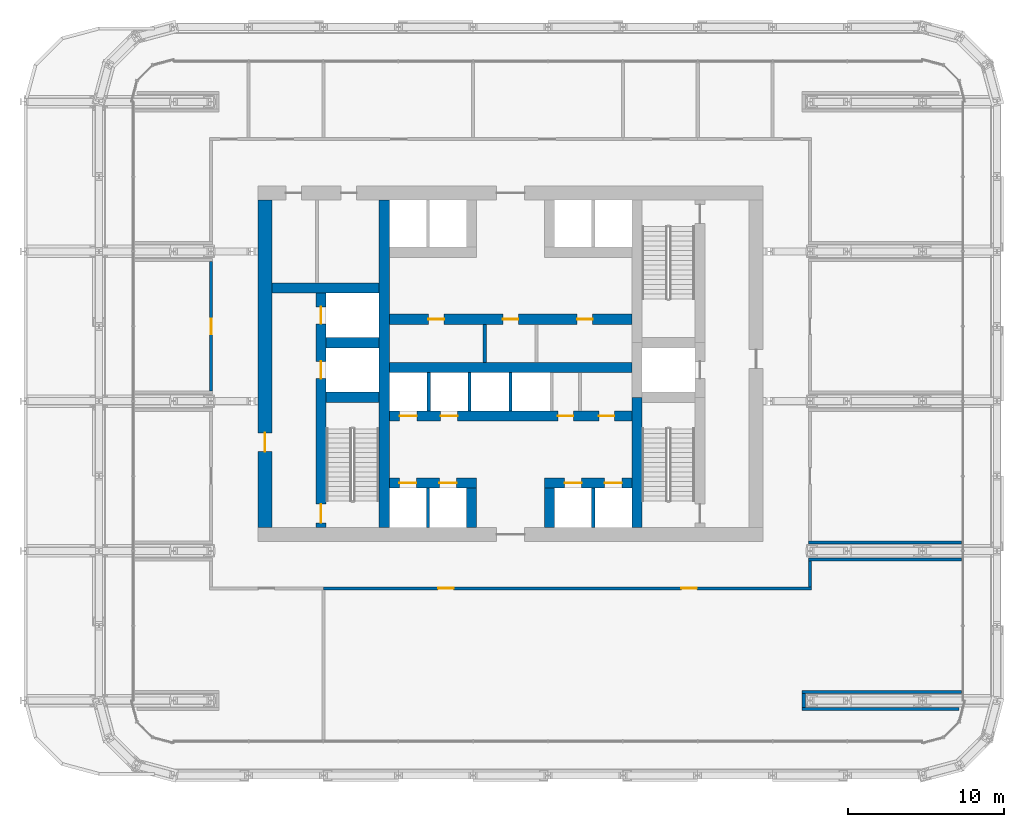
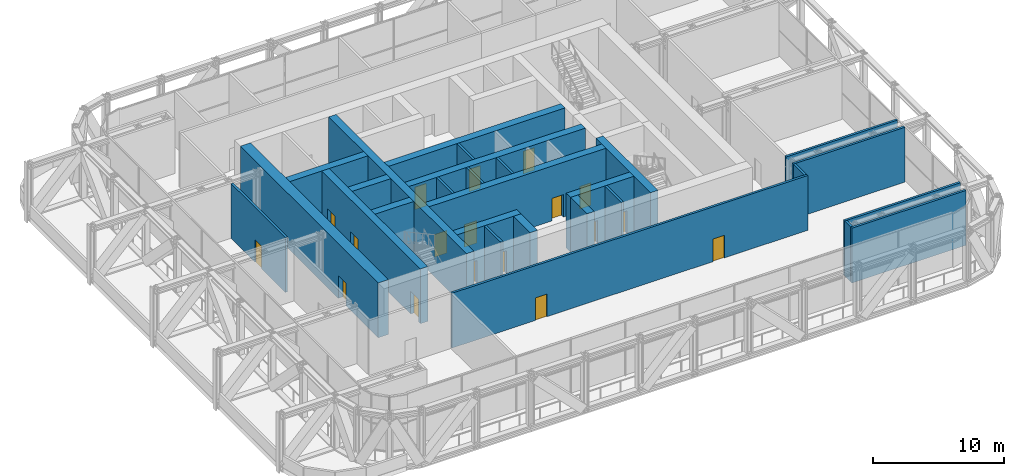
# One storey, part 20 of 30: 28 walls, 18 doors, 18 openings.
"""IFC4 building model written with IfcOpenShell, lengths in metres."""

from ifc_helpers import new_model, si_unit, direction, frame, frame_2d, origin, place, context, subcontext, project, spatial, rectangle, extrude, material, layer, layer_set, type_object, element, fill, save


model = new_model("IFC4")

# Units and contexts
model_context = context("Model", 3, precision=1e-05, world=origin(), true_north=direction((0.0, 1.0)))
body_context = subcontext(model_context, "Body", "Model", "MODEL_VIEW")
ifc_project = project(units=[si_unit("LENGTHUNIT", "METRE"), si_unit("AREAUNIT", "SQUARE_METRE"), si_unit("VOLUMEUNIT", "CUBIC_METRE"), si_unit("PLANEANGLEUNIT", "RADIAN"), si_unit("MASSUNIT", "GRAM", prefix="KILO")], contexts=[model_context])

# Site, building, storey
site_placement = place(None, origin())
site = spatial("IfcSite", under=ifc_project, at=site_placement, CompositionType="ELEMENT")
building_placement = place(site_placement, origin())
building = spatial("IfcBuilding", under=site, at=building_placement, Name="Madar Terraces", CompositionType="ELEMENT")
storey_placement = place(building_placement, frame((0.0, 0.0, 53.89990234375)))
storey = spatial("IfcBuildingStorey", under=building, at=storey_placement, Name="L13", CompositionType="ELEMENT", Elevation=53.89990234375)

# Wall, openings, doors
ifc_material_1 = material(Name="Concrete C80/95", Category="concrete")
ifc_layer_1 = layer(ifc_material_1, 0.64990234375)
ifc_layer_set_1 = layer_set([ifc_layer_1], Name="Concrete C80/95 (CIW2 RC wall 650)")
wall_type_1 = type_object("IfcWallType", Name="CIW2 RC wall 650", PredefinedType="SHEAR", material=ifc_layer_set_1)
wall_1_placement = place(storey_placement, frame((19.050048828125, 15.89990234375, 0.0), z_axis=(0.0, 0.0, 1.0), x_axis=(0.0, 1.0, 0.0)))
wall_1 = element("IfcWall", 1, at=wall_1_placement, inside=storey, type_object=wall_type_1, Name="CORE SHAFT WALL", PredefinedType="SHEAR", context=body_context, shape_type="SweptSolid", body=[
    extrude(rectangle(XDim=15.025146484375, YDim=0.64990234375, at=frame_2d((7.5126953125, 0.0))), origin(), (0.0, 0.0, 1.0), 5.10009765625),
])
opening_1_placement = place(wall_1_placement, frame((9.550048828125, 0.0, 0.0)))
opening_1 = element("IfcOpeningElement", 2, at=opening_1_placement, cuts=wall_1, Name="Opening LD", PredefinedType="OPENING", context=body_context, shape_type="SweptSolid", body=[
    extrude(rectangle(XDim=1.10009765625, YDim=2.10009765625, at=frame_2d((0.550048828125, 1.050048828125))), frame((0.0, 0.3349609375, 0.0), z_axis=(0.0, -1.0, 0.0), x_axis=(1.0, 0.0, 0.0)), (0.0, 0.0, 1.0), 0.669921875),
])
opening_2_placement = place(wall_1_placement, frame((13.050048828125, 0.0, 0.0)))
opening_2 = element("IfcOpeningElement", 3, at=opening_2_placement, cuts=wall_1, Name="Opening LD", PredefinedType="OPENING", context=body_context, shape_type="SweptSolid", body=[
    extrude(rectangle(XDim=1.10009765625, YDim=2.10009765625, at=frame_2d((0.550048828125, 1.050048828125))), frame((0.0, 0.3349609375, 0.0), z_axis=(0.0, -1.0, 0.0), x_axis=(1.0, 0.0, 0.0)), (0.0, 0.0, 1.0), 0.669921875),
])
opening_3_placement = place(wall_1_placement, frame((0.300048828125, 0.0, 0.0)))
opening_3 = element("IfcOpeningElement", 4, at=opening_3_placement, cuts=wall_1, Name="Opening SD1", PredefinedType="OPENING", context=body_context, shape_type="SweptSolid", body=[
    extrude(rectangle(XDim=1.199951171875, YDim=2.10009765625, at=frame_2d((0.60009765625, 1.050048828125))), frame((0.0, 0.3349609375, 0.0), z_axis=(0.0, -1.0, 0.0), x_axis=(1.0, 0.0, 0.0)), (0.0, 0.0, 1.0), 0.669921875),
])
ifc_material_2 = material(Name="Stainless steel panel", Category="steel")
door_type_1 = type_object("IfcDoorType", Name="Lift landing door 1100 x 2100", OperationType="DOUBLE_DOOR_SLIDING", PredefinedType="DOOR", material=ifc_material_2)
door_1_placement = place(opening_1_placement, origin())
door_1 = element("IfcDoor", 5, at=door_1_placement, inside=storey, type_object=door_type_1, Name="LIFT LANDING DOOR", OperationType="DOUBLE_DOOR_SLIDING", OverallHeight=2.10009765625, OverallWidth=1.10009765625, PredefinedType="DOOR", context=body_context, shape_type="SweptSolid", body=[
    extrude(rectangle(XDim=1.10009765625, YDim=2.10009765625, at=frame_2d((0.550048828125, 1.050048828125))), frame((0.0, 0.02490234375, 0.0), z_axis=(0.0, -1.0, 0.0), x_axis=(1.0, 0.0, 0.0)), (0.0, 0.0, 1.0), 0.050048828125),
])
fill(opening_1, door_1)
door_2_placement = place(opening_2_placement, origin())
door_2 = element("IfcDoor", 6, at=door_2_placement, inside=storey, type_object=door_type_1, Name="LIFT LANDING DOOR", OperationType="DOUBLE_DOOR_SLIDING", OverallHeight=2.10009765625, OverallWidth=1.10009765625, PredefinedType="DOOR", context=body_context, shape_type="SweptSolid", body=[
    extrude(rectangle(XDim=1.10009765625, YDim=2.10009765625, at=frame_2d((0.550048828125, 1.050048828125))), frame((0.0, 0.02490234375, 0.0), z_axis=(0.0, -1.0, 0.0), x_axis=(1.0, 0.0, 0.0)), (0.0, 0.0, 1.0), 0.050048828125),
])
fill(opening_2, door_2)
ifc_material_3 = material(Name="Steel door leaf", Category="steel")
door_type_2 = type_object("IfcDoorType", Name="Stair door 1200 x 2100", OperationType="NOTDEFINED", PredefinedType="DOOR", material=ifc_material_3)
door_3_placement = place(opening_3_placement, frame((1.199951171875, 0.0, 0.0), z_axis=(0.0, 0.0, 1.0), x_axis=(-1.0, 0.0, 0.0)))
door_3 = element("IfcDoor", 7, at=door_3_placement, inside=storey, type_object=door_type_2, Name="STAIR DOOR", OperationType="SINGLE_SWING_LEFT", OverallHeight=2.10009765625, OverallWidth=1.199951171875, PredefinedType="DOOR", context=body_context, shape_type="SweptSolid", body=[
    extrude(rectangle(XDim=1.199951171875, YDim=2.10009765625, at=frame_2d((0.60009765625, 1.050048828125))), frame((0.0, 0.02490234375, 0.0), z_axis=(0.0, -1.0, 0.0), x_axis=(1.0, 0.0, 0.0)), (0.0, 0.0, 1.0), 0.050048828125),
])
fill(opening_3, door_3)

# Walls
wall_2_placement = place(storey_placement, frame((23.10009765625, 15.89990234375, 0.0), z_axis=(0.0, 0.0, 1.0), x_axis=(0.0, 1.0, 0.0)))
element("IfcWall", 8, at=wall_2_placement, inside=storey, type_object=wall_type_1, Name="CORE SHAFT WALL", PredefinedType="SHEAR", context=body_context, shape_type="SweptSolid", body=[
    extrude(rectangle(XDim=21.0, YDim=0.64990234375, at=frame_2d((10.5, 0.0))), origin(), (0.0, 0.0, 1.0), 5.10009765625),
])
wall_3_placement = place(storey_placement, frame((39.300048828125, 15.89990234375, 0.0), z_axis=(0.0, 0.0, 1.0), x_axis=(0.0, 1.0, 0.0)))
element("IfcWall", 9, at=wall_3_placement, inside=storey, type_object=wall_type_1, Name="CORE SHAFT WALL", PredefinedType="SHEAR", context=body_context, shape_type="SweptSolid", body=[
    extrude(rectangle(XDim=8.35009765625, YDim=0.64990234375, at=frame_2d((4.175048828125, 0.0))), origin(), (0.0, 0.0, 1.0), 5.10009765625),
])
for number, where, z_axis, x_axis, name in (
    (10, (19.375, 24.25, 0.0), (0.0, 0.0, 1.0), (1.0, 0.0, 0.0), "CORE SHAFT WALL"),
    (11, (19.375, 27.75, 0.0), (0.0, 0.0, 1.0), (1.0, 0.0, 0.0), "CORE SHAFT WALL"),
):
    element("IfcWall", number, at=place(storey_placement, frame(where, z_axis=z_axis, x_axis=x_axis)), inside=storey, type_object=wall_type_1, Name=name, PredefinedType="SHEAR", context=body_context, shape_type="SweptSolid", body=[
        extrude(rectangle(XDim=3.39990234375, YDim=0.64990234375, at=frame_2d((1.699951171875, 0.0))), origin(), (0.0, 0.0, 1.0), 5.10009765625),
    ])
wall_4_placement = place(storey_placement, frame((15.89990234375, 31.25, 0.0), z_axis=(0.0, 0.0, 1.0), x_axis=(1.0, 0.0, 0.0)))
element("IfcWall", 12, at=wall_4_placement, inside=storey, type_object=wall_type_1, Name="CORE SHAFT WALL", PredefinedType="SHEAR", context=body_context, shape_type="SweptSolid", body=[
    extrude(rectangle(XDim=6.875, YDim=0.64990234375, at=frame_2d((3.4375, 0.0))), origin(), (0.0, 0.0, 1.0), 5.10009765625),
])

# Wall, openings, doors
wall_5_placement = place(storey_placement, frame((23.425048828125, 18.75, 0.0), z_axis=(0.0, 0.0, 1.0), x_axis=(1.0, 0.0, 0.0)))
wall_5 = element("IfcWall", 13, at=wall_5_placement, inside=storey, type_object=wall_type_1, Name="CORE SHAFT WALL", PredefinedType="SHEAR", context=body_context, shape_type="SweptSolid", body=[
    extrude(rectangle(XDim=5.599853515625, YDim=0.64990234375, at=frame_2d((2.7998046875, 0.0))), origin(), (0.0, 0.0, 1.0), 5.10009765625),
])
opening_4_placement = place(wall_5_placement, frame((0.637451171875, 0.0, 0.0)))
opening_4 = element("IfcOpeningElement", 14, at=opening_4_placement, cuts=wall_5, Name="Opening LD", PredefinedType="OPENING", context=body_context, shape_type="SweptSolid", body=[
    extrude(rectangle(XDim=1.10009765625, YDim=2.10009765625, at=frame_2d((0.550048828125, 1.050048828125))), frame((0.0, 0.3349609375, 0.0), z_axis=(0.0, -1.0, 0.0), x_axis=(1.0, 0.0, 0.0)), (0.0, 0.0, 1.0), 0.669921875),
])
opening_5_placement = place(wall_5_placement, frame((3.21240234375, 0.0, 0.0)))
opening_5 = element("IfcOpeningElement", 15, at=opening_5_placement, cuts=wall_5, Name="Opening LD", PredefinedType="OPENING", context=body_context, shape_type="SweptSolid", body=[
    extrude(rectangle(XDim=1.10009765625, YDim=2.10009765625, at=frame_2d((0.550048828125, 1.050048828125))), frame((0.0, 0.3349609375, 0.0), z_axis=(0.0, -1.0, 0.0), x_axis=(1.0, 0.0, 0.0)), (0.0, 0.0, 1.0), 0.669921875),
])
door_4_placement = place(opening_4_placement, origin())
door_4 = element("IfcDoor", 16, at=door_4_placement, inside=storey, type_object=door_type_1, Name="LIFT LANDING DOOR", OperationType="DOUBLE_DOOR_SLIDING", OverallHeight=2.10009765625, OverallWidth=1.10009765625, PredefinedType="DOOR", context=body_context, shape_type="SweptSolid", body=[
    extrude(rectangle(XDim=1.10009765625, YDim=2.10009765625, at=frame_2d((0.550048828125, 1.050048828125))), frame((0.0, 0.02490234375, 0.0), z_axis=(0.0, -1.0, 0.0), x_axis=(1.0, 0.0, 0.0)), (0.0, 0.0, 1.0), 0.050048828125),
])
fill(opening_4, door_4)
door_5_placement = place(opening_5_placement, origin())
door_5 = element("IfcDoor", 17, at=door_5_placement, inside=storey, type_object=door_type_1, Name="LIFT LANDING DOOR", OperationType="DOUBLE_DOOR_SLIDING", OverallHeight=2.10009765625, OverallWidth=1.10009765625, PredefinedType="DOOR", context=body_context, shape_type="SweptSolid", body=[
    extrude(rectangle(XDim=1.10009765625, YDim=2.10009765625, at=frame_2d((0.550048828125, 1.050048828125))), frame((0.0, 0.02490234375, 0.0), z_axis=(0.0, -1.0, 0.0), x_axis=(1.0, 0.0, 0.0)), (0.0, 0.0, 1.0), 0.050048828125),
])
fill(opening_5, door_5)

wall_6_placement = place(storey_placement, frame((33.375, 18.75, 0.0), z_axis=(0.0, 0.0, 1.0), x_axis=(1.0, 0.0, 0.0)))
wall_6 = element("IfcWall", 18, at=wall_6_placement, inside=storey, type_object=wall_type_1, Name="CORE SHAFT WALL", PredefinedType="SHEAR", context=body_context, shape_type="SweptSolid", body=[
    extrude(rectangle(XDim=5.60009765625, YDim=0.64990234375, at=frame_2d((2.800048828125, 0.0))), origin(), (0.0, 0.0, 1.0), 5.10009765625),
])
opening_6_placement = place(wall_6_placement, frame((1.28759765625, 0.0, 0.0)))
opening_6 = element("IfcOpeningElement", 19, at=opening_6_placement, cuts=wall_6, Name="Opening LD", PredefinedType="OPENING", context=body_context, shape_type="SweptSolid", body=[
    extrude(rectangle(XDim=1.10009765625, YDim=2.10009765625, at=frame_2d((0.550048828125, 1.050048828125))), frame((0.0, 0.3349609375, 0.0), z_axis=(0.0, -1.0, 0.0), x_axis=(1.0, 0.0, 0.0)), (0.0, 0.0, 1.0), 0.669921875),
])
opening_7_placement = place(wall_6_placement, frame((3.862548828125, 0.0, 0.0)))
opening_7 = element("IfcOpeningElement", 20, at=opening_7_placement, cuts=wall_6, Name="Opening LD", PredefinedType="OPENING", context=body_context, shape_type="SweptSolid", body=[
    extrude(rectangle(XDim=1.10009765625, YDim=2.10009765625, at=frame_2d((0.550048828125, 1.050048828125))), frame((0.0, 0.3349609375, 0.0), z_axis=(0.0, -1.0, 0.0), x_axis=(1.0, 0.0, 0.0)), (0.0, 0.0, 1.0), 0.669921875),
])
door_6_placement = place(opening_6_placement, origin())
door_6 = element("IfcDoor", 21, at=door_6_placement, inside=storey, type_object=door_type_1, Name="LIFT LANDING DOOR", OperationType="DOUBLE_DOOR_SLIDING", OverallHeight=2.10009765625, OverallWidth=1.10009765625, PredefinedType="DOOR", context=body_context, shape_type="SweptSolid", body=[
    extrude(rectangle(XDim=1.10009765625, YDim=2.10009765625, at=frame_2d((0.550048828125, 1.050048828125))), frame((0.0, 0.02490234375, 0.0), z_axis=(0.0, -1.0, 0.0), x_axis=(1.0, 0.0, 0.0)), (0.0, 0.0, 1.0), 0.050048828125),
])
fill(opening_6, door_6)
door_7_placement = place(opening_7_placement, origin())
door_7 = element("IfcDoor", 22, at=door_7_placement, inside=storey, type_object=door_type_1, Name="LIFT LANDING DOOR", OperationType="DOUBLE_DOOR_SLIDING", OverallHeight=2.10009765625, OverallWidth=1.10009765625, PredefinedType="DOOR", context=body_context, shape_type="SweptSolid", body=[
    extrude(rectangle(XDim=1.10009765625, YDim=2.10009765625, at=frame_2d((0.550048828125, 1.050048828125))), frame((0.0, 0.02490234375, 0.0), z_axis=(0.0, -1.0, 0.0), x_axis=(1.0, 0.0, 0.0)), (0.0, 0.0, 1.0), 0.050048828125),
])
fill(opening_7, door_7)

wall_7_placement = place(storey_placement, frame((23.425048828125, 23.050048828125, 0.0), z_axis=(0.0, 0.0, 1.0), x_axis=(1.0, 0.0, 0.0)))
wall_7 = element("IfcWall", 23, at=wall_7_placement, inside=storey, type_object=wall_type_1, Name="CORE SHAFT WALL", PredefinedType="SHEAR", context=body_context, shape_type="SweptSolid", body=[
    extrude(rectangle(XDim=15.550048828125, YDim=0.64990234375, at=frame_2d((7.77490234375, 0.0))), origin(), (0.0, 0.0, 1.0), 5.10009765625),
])
opening_8_placement = place(wall_7_placement, frame((0.66259765625, 0.0, 0.0)))
opening_8 = element("IfcOpeningElement", 24, at=opening_8_placement, cuts=wall_7, Name="Opening LD", PredefinedType="OPENING", context=body_context, shape_type="SweptSolid", body=[
    extrude(rectangle(XDim=1.10009765625, YDim=2.10009765625, at=frame_2d((0.550048828125, 1.050048828125))), frame((0.0, 0.3349609375, 0.0), z_axis=(0.0, -1.0, 0.0), x_axis=(1.0, 0.0, 0.0)), (0.0, 0.0, 1.0), 0.669921875),
])
opening_9_placement = place(wall_7_placement, frame((3.28759765625, 0.0, 0.0)))
opening_9 = element("IfcOpeningElement", 25, at=opening_9_placement, cuts=wall_7, Name="Opening LD", PredefinedType="OPENING", context=body_context, shape_type="SweptSolid", body=[
    extrude(rectangle(XDim=1.10009765625, YDim=2.10009765625, at=frame_2d((0.550048828125, 1.050048828125))), frame((0.0, 0.3349609375, 0.0), z_axis=(0.0, -1.0, 0.0), x_axis=(1.0, 0.0, 0.0)), (0.0, 0.0, 1.0), 0.669921875),
])
opening_10_placement = place(wall_7_placement, frame((10.80859375, 0.0, 0.0)))
opening_10 = element("IfcOpeningElement", 26, at=opening_10_placement, cuts=wall_7, Name="Opening KD2", PredefinedType="OPENING", context=body_context, shape_type="SweptSolid", body=[
    extrude(rectangle(XDim=1.0, YDim=2.10009765625, at=frame_2d((0.5, 1.050048828125))), frame((0.0, 0.3349609375, 0.0), z_axis=(0.0, -1.0, 0.0), x_axis=(1.0, 0.0, 0.0)), (0.0, 0.0, 1.0), 0.669921875),
])
opening_11_placement = place(wall_7_placement, frame((13.43359375, 0.0, 0.0)))
opening_11 = element("IfcOpeningElement", 27, at=opening_11_placement, cuts=wall_7, Name="Opening KD2", PredefinedType="OPENING", context=body_context, shape_type="SweptSolid", body=[
    extrude(rectangle(XDim=1.0, YDim=2.10009765625, at=frame_2d((0.5, 1.050048828125))), frame((0.0, 0.3349609375, 0.0), z_axis=(0.0, -1.0, 0.0), x_axis=(1.0, 0.0, 0.0)), (0.0, 0.0, 1.0), 0.669921875),
])
door_8_placement = place(opening_8_placement, origin())
door_8 = element("IfcDoor", 28, at=door_8_placement, inside=storey, type_object=door_type_1, Name="LIFT LANDING DOOR", OperationType="DOUBLE_DOOR_SLIDING", OverallHeight=2.10009765625, OverallWidth=1.10009765625, PredefinedType="DOOR", context=body_context, shape_type="SweptSolid", body=[
    extrude(rectangle(XDim=1.10009765625, YDim=2.10009765625, at=frame_2d((0.550048828125, 1.050048828125))), frame((0.0, 0.02490234375, 0.0), z_axis=(0.0, -1.0, 0.0), x_axis=(1.0, 0.0, 0.0)), (0.0, 0.0, 1.0), 0.050048828125),
])
fill(opening_8, door_8)
door_9_placement = place(opening_9_placement, origin())
door_9 = element("IfcDoor", 29, at=door_9_placement, inside=storey, type_object=door_type_1, Name="LIFT LANDING DOOR", OperationType="DOUBLE_DOOR_SLIDING", OverallHeight=2.10009765625, OverallWidth=1.10009765625, PredefinedType="DOOR", context=body_context, shape_type="SweptSolid", body=[
    extrude(rectangle(XDim=1.10009765625, YDim=2.10009765625, at=frame_2d((0.550048828125, 1.050048828125))), frame((0.0, 0.02490234375, 0.0), z_axis=(0.0, -1.0, 0.0), x_axis=(1.0, 0.0, 0.0)), (0.0, 0.0, 1.0), 0.050048828125),
])
fill(opening_9, door_9)
ifc_material_4 = material(Name="Steel door leaf", Category="steel")
door_type_3 = type_object("IfcDoorType", Name="Service room door 1000 x 2100", OperationType="NOTDEFINED", PredefinedType="DOOR", material=ifc_material_4)
door_10_placement = place(opening_10_placement, frame((1.0, 0.0, 0.0), z_axis=(0.0, 0.0, 1.0), x_axis=(-1.0, 0.0, 0.0)))
door_10 = element("IfcDoor", 30, at=door_10_placement, inside=storey, type_object=door_type_3, Name="SERVICE ROOM DOOR", OperationType="SINGLE_SWING_RIGHT", OverallHeight=2.10009765625, OverallWidth=1.0, PredefinedType="DOOR", context=body_context, shape_type="SweptSolid", body=[
    extrude(rectangle(XDim=1.0, YDim=2.10009765625, at=frame_2d((0.5, 1.050048828125))), frame((0.0, 0.02490234375, 0.0), z_axis=(0.0, -1.0, 0.0), x_axis=(1.0, 0.0, 0.0)), (0.0, 0.0, 1.0), 0.050048828125),
])
fill(opening_10, door_10)
door_11_placement = place(opening_11_placement, frame((1.0, 0.0, 0.0), z_axis=(0.0, 0.0, 1.0), x_axis=(-1.0, 0.0, 0.0)))
door_11 = element("IfcDoor", 31, at=door_11_placement, inside=storey, type_object=door_type_3, Name="SERVICE ROOM DOOR", OperationType="SINGLE_SWING_LEFT", OverallHeight=2.10009765625, OverallWidth=1.0, PredefinedType="DOOR", context=body_context, shape_type="SweptSolid", body=[
    extrude(rectangle(XDim=1.0, YDim=2.10009765625, at=frame_2d((0.5, 1.050048828125))), frame((0.0, 0.02490234375, 0.0), z_axis=(0.0, -1.0, 0.0), x_axis=(1.0, 0.0, 0.0)), (0.0, 0.0, 1.0), 0.050048828125),
])
fill(opening_11, door_11)

# Wall
wall_8_placement = place(storey_placement, frame((23.425048828125, 26.14990234375, 0.0), z_axis=(0.0, 0.0, 1.0), x_axis=(1.0, 0.0, 0.0)))
element("IfcWall", 32, at=wall_8_placement, inside=storey, type_object=wall_type_1, Name="CORE SHAFT WALL", PredefinedType="SHEAR", context=body_context, shape_type="SweptSolid", body=[
    extrude(rectangle(XDim=15.550048828125, YDim=0.64990234375, at=frame_2d((7.77490234375, 0.0))), origin(), (0.0, 0.0, 1.0), 5.10009765625),
])

# Wall, openings, doors
wall_9_placement = place(storey_placement, frame((23.425048828125, 29.25, 0.0), z_axis=(0.0, 0.0, 1.0), x_axis=(1.0, 0.0, 0.0)))
wall_9 = element("IfcWall", 33, at=wall_9_placement, inside=storey, type_object=wall_type_1, Name="CORE SHAFT WALL", PredefinedType="SHEAR", context=body_context, shape_type="SweptSolid", body=[
    extrude(rectangle(XDim=15.550048828125, YDim=0.64990234375, at=frame_2d((7.77490234375, 0.0))), origin(), (0.0, 0.0, 1.0), 5.10009765625),
])
opening_12_placement = place(wall_9_placement, frame((2.508056640625, 0.0, 0.0)))
opening_12 = element("IfcOpeningElement", 34, at=opening_12_placement, cuts=wall_9, Name="Opening KD2", PredefinedType="OPENING", context=body_context, shape_type="SweptSolid", body=[
    extrude(rectangle(XDim=1.0, YDim=2.10009765625, at=frame_2d((0.5, 1.050048828125))), frame((0.0, 0.3349609375, 0.0), z_axis=(0.0, -1.0, 0.0), x_axis=(1.0, 0.0, 0.0)), (0.0, 0.0, 1.0), 0.669921875),
])
opening_13_placement = place(wall_9_placement, frame((7.27490234375, 0.0, 0.0)))
opening_13 = element("IfcOpeningElement", 35, at=opening_13_placement, cuts=wall_9, Name="Opening KD2", PredefinedType="OPENING", context=body_context, shape_type="SweptSolid", body=[
    extrude(rectangle(XDim=1.0, YDim=2.10009765625, at=frame_2d((0.5, 1.050048828125))), frame((0.0, 0.3349609375, 0.0), z_axis=(0.0, -1.0, 0.0), x_axis=(1.0, 0.0, 0.0)), (0.0, 0.0, 1.0), 0.669921875),
])
opening_14_placement = place(wall_9_placement, frame((12.041748046875, 0.0, 0.0)))
opening_14 = element("IfcOpeningElement", 36, at=opening_14_placement, cuts=wall_9, Name="Opening KD2", PredefinedType="OPENING", context=body_context, shape_type="SweptSolid", body=[
    extrude(rectangle(XDim=1.0, YDim=2.10009765625, at=frame_2d((0.5, 1.050048828125))), frame((0.0, 0.3349609375, 0.0), z_axis=(0.0, -1.0, 0.0), x_axis=(1.0, 0.0, 0.0)), (0.0, 0.0, 1.0), 0.669921875),
])
door_12_placement = place(opening_12_placement, origin())
door_12 = element("IfcDoor", 37, at=door_12_placement, inside=storey, type_object=door_type_3, Name="SERVICE ROOM DOOR", OperationType="SINGLE_SWING_RIGHT", OverallHeight=2.10009765625, OverallWidth=1.0, PredefinedType="DOOR", context=body_context, shape_type="SweptSolid", body=[
    extrude(rectangle(XDim=1.0, YDim=2.10009765625, at=frame_2d((0.5, 1.050048828125))), frame((0.0, 0.02490234375, 0.0), z_axis=(0.0, -1.0, 0.0), x_axis=(1.0, 0.0, 0.0)), (0.0, 0.0, 1.0), 0.050048828125),
])
fill(opening_12, door_12)
door_13_placement = place(opening_13_placement, origin())
door_13 = element("IfcDoor", 38, at=door_13_placement, inside=storey, type_object=door_type_3, Name="SERVICE ROOM DOOR", OperationType="SINGLE_SWING_LEFT", OverallHeight=2.10009765625, OverallWidth=1.0, PredefinedType="DOOR", context=body_context, shape_type="SweptSolid", body=[
    extrude(rectangle(XDim=1.0, YDim=2.10009765625, at=frame_2d((0.5, 1.050048828125))), frame((0.0, 0.02490234375, 0.0), z_axis=(0.0, -1.0, 0.0), x_axis=(1.0, 0.0, 0.0)), (0.0, 0.0, 1.0), 0.050048828125),
])
fill(opening_13, door_13)
door_14_placement = place(opening_14_placement, origin())
door_14 = element("IfcDoor", 39, at=door_14_placement, inside=storey, type_object=door_type_3, Name="SERVICE ROOM DOOR", OperationType="SINGLE_SWING_RIGHT", OverallHeight=2.10009765625, OverallWidth=1.0, PredefinedType="DOOR", context=body_context, shape_type="SweptSolid", body=[
    extrude(rectangle(XDim=1.0, YDim=2.10009765625, at=frame_2d((0.5, 1.050048828125))), frame((0.0, 0.02490234375, 0.0), z_axis=(0.0, -1.0, 0.0), x_axis=(1.0, 0.0, 0.0)), (0.0, 0.0, 1.0), 0.050048828125),
])
fill(opening_14, door_14)

# Walls
for number, where, z_axis, x_axis, name in (
    (40, (28.699951171875, 15.89990234375, 0.0), (0.0, 0.0, 1.0), (0.0, 1.0, 0.0), "CORE SHAFT WALL"),
    (41, (33.699951171875, 15.89990234375, 0.0), (0.0, 0.0, 1.0), (0.0, 1.0, 0.0), "CORE SHAFT WALL"),
):
    element("IfcWall", number, at=place(storey_placement, frame(where, z_axis=z_axis, x_axis=x_axis)), inside=storey, type_object=wall_type_1, Name=name, PredefinedType="SHEAR", context=body_context, shape_type="SweptSolid", body=[
        extrude(rectangle(XDim=2.525146484375, YDim=0.64990234375, at=frame_2d((1.2626953125, 0.0))), origin(), (0.0, 0.0, 1.0), 5.10009765625),
    ])

# Wall, opening, door
ifc_material_5 = material(Name="Concrete C80/95", Category="concrete")
ifc_layer_2 = layer(ifc_material_5, 0.89990234375)
ifc_layer_set_2 = layer_set([ifc_layer_2], Name="Concrete C80/95 (CRW2 RC wall 900)")
wall_type_2 = type_object("IfcWallType", Name="CRW2 RC wall 900", PredefinedType="SHEAR", material=ifc_layer_set_2)
wall_10_placement = place(storey_placement, frame((15.449951171875, 15.89990234375, 0.0), z_axis=(0.0, 0.0, 1.0), x_axis=(0.0, 1.0, 0.0)))
wall_10 = element("IfcWall", 42, at=wall_10_placement, inside=storey, type_object=wall_type_2, Name="CORE OUTER WALL", PredefinedType="SHEAR", context=body_context, shape_type="SweptSolid", body=[
    extrude(rectangle(XDim=21.0, YDim=0.89990234375, at=frame_2d((10.5, 0.0))), origin(), (0.0, 0.0, 1.0), 5.10009765625),
])
opening_15_placement = place(wall_10_placement, frame((4.860107421875, 0.0, 0.0)))
opening_15 = element("IfcOpeningElement", 43, at=opening_15_placement, cuts=wall_10, Name="Opening SD1", PredefinedType="OPENING", context=body_context, shape_type="SweptSolid", body=[
    extrude(rectangle(XDim=1.199951171875, YDim=2.10009765625, at=frame_2d((0.60009765625, 1.050048828125))), frame((0.0, 0.4599609375, 0.0), z_axis=(0.0, -1.0, 0.0), x_axis=(1.0, 0.0, 0.0)), (0.0, 0.0, 1.0), 0.919921875),
])
door_15_placement = place(opening_15_placement, frame((1.199951171875, 0.0, 0.0), z_axis=(0.0, 0.0, 1.0), x_axis=(-1.0, 0.0, 0.0)))
door_15 = element("IfcDoor", 44, at=door_15_placement, inside=storey, type_object=door_type_2, Name="STAIR DOOR", OperationType="SINGLE_SWING_RIGHT", OverallHeight=2.10009765625, OverallWidth=1.199951171875, PredefinedType="DOOR", context=body_context, shape_type="SweptSolid", body=[
    extrude(rectangle(XDim=1.199951171875, YDim=2.10009765625, at=frame_2d((0.60009765625, 1.050048828125))), frame((0.0, 0.02490234375, 0.0), z_axis=(0.0, -1.0, 0.0), x_axis=(1.0, 0.0, 0.0)), (0.0, 0.0, 1.0), 0.050048828125),
])
fill(opening_15, door_15)

# Walls
ifc_material_6 = material(Name="Masonry blockwork", Category="masonry")
ifc_layer_3 = layer(ifc_material_6, 0.199951171875)
ifc_layer_set_3 = layer_set([ifc_layer_3], Name="Core partition 200 blockwork")
wall_type_3 = type_object("IfcWallType", Name="Core partition 200 blockwork", PredefinedType="PARTITIONING", material=ifc_layer_set_3)
wall_11_placement = place(storey_placement, frame((29.541259765625, 26.47509765625, 0.0), z_axis=(0.0, 0.0, 1.0), x_axis=(0.0, 1.0, 0.0)))
element("IfcWall", 45, at=wall_11_placement, inside=storey, type_object=wall_type_3, Name="SERVICE ROOM PARTITION", PredefinedType="PARTITIONING", context=body_context, shape_type="SweptSolid", body=[
    extrude(rectangle(XDim=2.449951171875, YDim=0.199951171875, at=frame_2d((1.22509765625, 0.0))), origin(), (0.0, 0.0, 1.0), 5.10009765625),
])
ifc_material_7 = material(Name="Concrete C40/50", Category="concrete")
ifc_layer_4 = layer(ifc_material_7, 0.199951171875)
ifc_layer_set_4 = layer_set([ifc_layer_4], Name="Core shaft dividing wall 200 C40/50")
wall_type_4 = type_object("IfcWallType", Name="Core shaft dividing wall 200 C40/50", PredefinedType="SOLIDWALL", material=ifc_layer_set_4)
for number, where, z_axis, x_axis, name in (
    (46, (25.949951171875, 23.375, 0.0), (0.0, 0.0, 1.0), (0.0, 1.0, 0.0), "SHAFT DIVIDING WALL"),
    (47, (28.574951171875, 23.375, 0.0), (0.0, 0.0, 1.0), (0.0, 1.0, 0.0), "SHAFT DIVIDING WALL"),
    (48, (31.199951171875, 23.375, 0.0), (0.0, 0.0, 1.0), (0.0, 1.0, 0.0), "SHAFT DIVIDING WALL"),
):
    element("IfcWall", number, at=place(storey_placement, frame(where, z_axis=z_axis, x_axis=x_axis)), inside=storey, type_object=wall_type_4, Name=name, PredefinedType="SOLIDWALL", context=body_context, shape_type="SweptSolid", body=[
        extrude(rectangle(XDim=2.449951171875, YDim=0.199951171875, at=frame_2d((1.22509765625, 0.0))), origin(), (0.0, 0.0, 1.0), 5.10009765625),
    ])
for number, where, z_axis, x_axis, name in (
    (49, (25.89990234375, 15.89990234375, 0.0), (0.0, 0.0, 1.0), (0.0, 1.0, 0.0), "SHAFT DIVIDING WALL"),
    (50, (36.5, 15.89990234375, 0.0), (0.0, 0.0, 1.0), (0.0, 1.0, 0.0), "SHAFT DIVIDING WALL"),
):
    element("IfcWall", number, at=place(storey_placement, frame(where, z_axis=z_axis, x_axis=x_axis)), inside=storey, type_object=wall_type_4, Name=name, PredefinedType="SOLIDWALL", context=body_context, shape_type="SweptSolid", body=[
        extrude(rectangle(XDim=2.525146484375, YDim=0.199951171875, at=frame_2d((1.2626953125, 0.0))), origin(), (0.0, 0.0, 1.0), 5.10009765625),
    ])
ifc_material_8 = material(Name="Blockwork", Category="masonry")
ifc_layer_5 = layer(ifc_material_8, 0.199951171875)
ifc_layer_set_5 = layer_set([ifc_layer_5], Name="Partition 200 EI 120")
wall_type_5 = type_object("IfcWallType", Name="Partition 200 EI 120", PredefinedType="PARTITIONING", material=ifc_layer_set_5)
wall_12_placement = place(storey_placement, frame((50.300048828125, 14.949951171875, 0.0), z_axis=(0.0, 0.0, 1.0), x_axis=(1.0, 0.0, 0.0)))
element("IfcWall", 51, at=wall_12_placement, inside=storey, type_object=wall_type_5, Name="Wall CHILLER PLANT ROOM / TRUSS SLOT", PredefinedType="PARTITIONING", context=body_context, shape_type="SweptSolid", body=[
    extrude(rectangle(XDim=9.800048828125, YDim=0.199951171875, at=frame_2d((4.89990234375, 0.0))), origin(), (0.0, 0.0, 1.0), 5.10009765625),
])

# Wall, opening, door
wall_13_placement = place(storey_placement, frame((12.0, 24.64990234375, 0.0), z_axis=(0.0, 0.0, 1.0), x_axis=(0.0, 1.0, 0.0)))
wall_13 = element("IfcWall", 52, at=wall_13_placement, inside=storey, type_object=wall_type_5, Name="Wall STORE PLANT ROOM / RING CORRIDOR", PredefinedType="PARTITIONING", context=body_context, shape_type="SweptSolid", body=[
    extrude(rectangle(XDim=8.300048828125, YDim=0.199951171875, at=frame_2d((4.14990234375, 0.0))), origin(), (0.0, 0.0, 1.0), 5.10009765625),
])
opening_16_placement = place(wall_13_placement, frame((3.64990234375, 0.0, 0.0)))
opening_16 = element("IfcOpeningElement", 53, at=opening_16_placement, cuts=wall_13, Name="Opening D33", PredefinedType="OPENING", context=body_context, shape_type="SweptSolid", body=[
    extrude(rectangle(XDim=1.0, YDim=2.10009765625, at=frame_2d((0.5, 1.050048828125))), frame((0.0, 0.10986328125, 0.0), z_axis=(0.0, -1.0, 0.0), x_axis=(1.0, 0.0, 0.0)), (0.0, 0.0, 1.0), 0.219970703125),
])
ifc_material_9 = material(Name="Timber door leaf, fire-rated", Category="wood")
door_type_4 = type_object("IfcDoorType", Name="Podium door 1000 x 2100 FD90S", OperationType="NOTDEFINED", PredefinedType="DOOR", material=ifc_material_9)
door_16_placement = place(opening_16_placement, origin())
door_16 = element("IfcDoor", 54, at=door_16_placement, inside=storey, type_object=door_type_4, Name="Door STORE PLANT ROOM / RING CORRIDOR", OperationType="SINGLE_SWING_RIGHT", OverallHeight=2.10009765625, OverallWidth=1.0, PredefinedType="DOOR", context=body_context, shape_type="SweptSolid", body=[
    extrude(rectangle(XDim=1.0, YDim=2.10009765625, at=frame_2d((0.5, 1.050048828125))), frame((0.0, 0.02490234375, 0.0), z_axis=(0.0, -1.0, 0.0), x_axis=(1.0, 0.0, 0.0)), (0.0, 0.0, 1.0), 0.050048828125),
])
fill(opening_16, door_16)

# Wall, openings, doors
ifc_material_10 = material(Name="Gypsum board partition, fire-rated")
ifc_layer_6 = layer(ifc_material_10, 0.199951171875)
ifc_layer_set_6 = layer_set([ifc_layer_6], Name="Partition 200 EI 60")
wall_type_6 = type_object("IfcWallType", Name="Partition 200 EI 60", PredefinedType="PARTITIONING", material=ifc_layer_set_6)
wall_14_placement = place(storey_placement, frame((19.199951171875, 12.0, 0.0), z_axis=(0.0, 0.0, 1.0), x_axis=(1.0, 0.0, 0.0)))
wall_14 = element("IfcWall", 55, at=wall_14_placement, inside=storey, type_object=wall_type_6, Name="Wall REFUGE AREA R1 / RING CORRIDOR", PredefinedType="PARTITIONING", context=body_context, shape_type="SweptSolid", body=[
    extrude(rectangle(XDim=31.300048828125, YDim=0.199951171875, at=frame_2d((15.64990234375, 0.0))), origin(), (0.0, 0.0, 1.0), 5.10009765625),
])
opening_17_placement = place(wall_14_placement, frame((22.949951171875, 0.0, 0.0)))
opening_17 = element("IfcOpeningElement", 56, at=opening_17_placement, cuts=wall_14, Name="Opening D31", PredefinedType="OPENING", context=body_context, shape_type="SweptSolid", body=[
    extrude(rectangle(XDim=1.0, YDim=2.10009765625, at=frame_2d((0.5, 1.050048828125))), frame((0.0, 0.10986328125, 0.0), z_axis=(0.0, -1.0, 0.0), x_axis=(1.0, 0.0, 0.0)), (0.0, 0.0, 1.0), 0.219970703125),
])
opening_18_placement = place(wall_14_placement, frame((7.35009765625, 0.0, 0.0)))
opening_18 = element("IfcOpeningElement", 57, at=opening_18_placement, cuts=wall_14, Name="Opening D31", PredefinedType="OPENING", context=body_context, shape_type="SweptSolid", body=[
    extrude(rectangle(XDim=1.0, YDim=2.10009765625, at=frame_2d((0.5, 1.050048828125))), frame((0.0, 0.10986328125, 0.0), z_axis=(0.0, -1.0, 0.0), x_axis=(1.0, 0.0, 0.0)), (0.0, 0.0, 1.0), 0.219970703125),
])
ifc_material_11 = material(Name="Timber door leaf, fire-rated", Category="wood")
door_type_5 = type_object("IfcDoorType", Name="Podium door 1000 x 2100 FD30S", OperationType="NOTDEFINED", PredefinedType="DOOR", material=ifc_material_11)
door_17_placement = place(opening_17_placement, origin())
door_17 = element("IfcDoor", 58, at=door_17_placement, inside=storey, type_object=door_type_5, Name="Door REFUGE AREA R1 / RING CORRIDOR", OperationType="SINGLE_SWING_RIGHT", OverallHeight=2.10009765625, OverallWidth=1.0, PredefinedType="DOOR", context=body_context, shape_type="SweptSolid", body=[
    extrude(rectangle(XDim=1.0, YDim=2.10009765625, at=frame_2d((0.5, 1.050048828125))), frame((0.0, 0.02490234375, 0.0), z_axis=(0.0, -1.0, 0.0), x_axis=(1.0, 0.0, 0.0)), (0.0, 0.0, 1.0), 0.050048828125),
])
fill(opening_17, door_17)
door_18_placement = place(opening_18_placement, origin())
door_18 = element("IfcDoor", 59, at=door_18_placement, inside=storey, type_object=door_type_5, Name="Door REFUGE AREA R1 / RING CORRIDOR", OperationType="SINGLE_SWING_LEFT", OverallHeight=2.10009765625, OverallWidth=1.0, PredefinedType="DOOR", context=body_context, shape_type="SweptSolid", body=[
    extrude(rectangle(XDim=1.0, YDim=2.10009765625, at=frame_2d((0.5, 1.050048828125))), frame((0.0, 0.02490234375, 0.0), z_axis=(0.0, -1.0, 0.0), x_axis=(1.0, 0.0, 0.0)), (0.0, 0.0, 1.0), 0.050048828125),
])
fill(opening_18, door_18)

# Walls
wall_15_placement = place(storey_placement, frame((50.39990234375, 12.10009765625, 0.0), z_axis=(0.0, 0.0, 1.0), x_axis=(0.0, 1.0, 0.0)))
element("IfcWall", 60, at=wall_15_placement, inside=storey, type_object=wall_type_6, Name="Wall REFUGE AREA R1 / RING CORRIDOR", PredefinedType="PARTITIONING", context=body_context, shape_type="SweptSolid", body=[
    extrude(rectangle(XDim=1.64990234375, YDim=0.199951171875, at=frame_2d((0.824951171875, 0.0))), origin(), (0.0, 0.0, 1.0), 5.10009765625),
])
ifc_material_12 = material(Name="Gypsum board partition on metal studs")
ifc_layer_7 = layer(ifc_material_12, 0.199951171875)
ifc_layer_set_7 = layer_set([ifc_layer_7], Name="Partition 200 plain")
wall_type_7 = type_object("IfcWallType", Name="Partition 200 plain", PredefinedType="PARTITIONING", material=ifc_layer_set_7)
wall_16_placement = place(storey_placement, frame((49.89990234375, 4.25, 0.0), z_axis=(0.0, 0.0, 1.0), x_axis=(1.0, 0.0, 0.0)))
element("IfcWall", 61, at=wall_16_placement, inside=storey, type_object=wall_type_7, Name="Wall REFUGE AREA R1 / TRUSS SLOT", PredefinedType="PARTITIONING", context=body_context, shape_type="SweptSolid", body=[
    extrude(rectangle(XDim=10.050048828125, YDim=0.199951171875, at=frame_2d((5.02490234375, 0.0))), origin(), (0.0, 0.0, 1.0), 5.10009765625),
])
wall_17_placement = place(storey_placement, frame((49.89990234375, 5.35009765625, 0.0), z_axis=(0.0, 0.0, 1.0), x_axis=(1.0, 0.0, 0.0)))
element("IfcWall", 62, at=wall_17_placement, inside=storey, type_object=wall_type_7, Name="Wall REFUGE AREA R1 / TRUSS SLOT", PredefinedType="PARTITIONING", context=body_context, shape_type="SweptSolid", body=[
    extrude(rectangle(XDim=10.2001953125, YDim=0.199951171875, at=frame_2d((5.10009765625, 0.0))), origin(), (0.0, 0.0, 1.0), 5.10009765625),
])
wall_18_placement = place(storey_placement, frame((50.300048828125, 13.85009765625, 0.0), z_axis=(0.0, 0.0, 1.0), x_axis=(1.0, 0.0, 0.0)))
element("IfcWall", 63, at=wall_18_placement, inside=storey, type_object=wall_type_7, Name="Wall REFUGE AREA R1 / TRUSS SLOT", PredefinedType="PARTITIONING", context=body_context, shape_type="SweptSolid", body=[
    extrude(rectangle(XDim=9.800048828125, YDim=0.199951171875, at=frame_2d((4.89990234375, 0.0))), origin(), (0.0, 0.0, 1.0), 5.10009765625),
])
wall_19_placement = place(storey_placement, frame((50.0, 4.35009765625, 0.0), z_axis=(0.0, 0.0, 1.0), x_axis=(0.0, 1.0, 0.0)))
element("IfcWall", 64, at=wall_19_placement, inside=storey, type_object=wall_type_7, Name="Wall REFUGE AREA R1 / TRUSS SLOT", PredefinedType="PARTITIONING", context=body_context, shape_type="SweptSolid", body=[
    extrude(rectangle(XDim=0.89990234375, YDim=0.199951171875, at=frame_2d((0.449951171875, 0.0))), origin(), (0.0, 0.0, 1.0), 5.10009765625),
])

save(model, "model.ifc")
